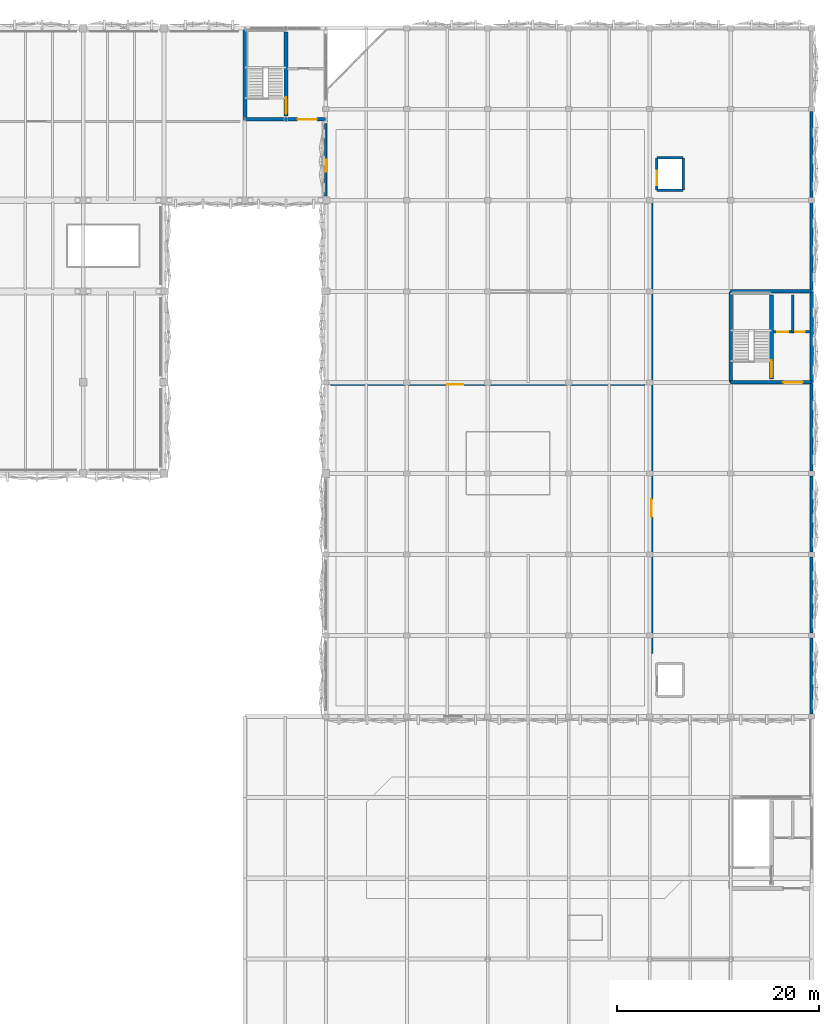
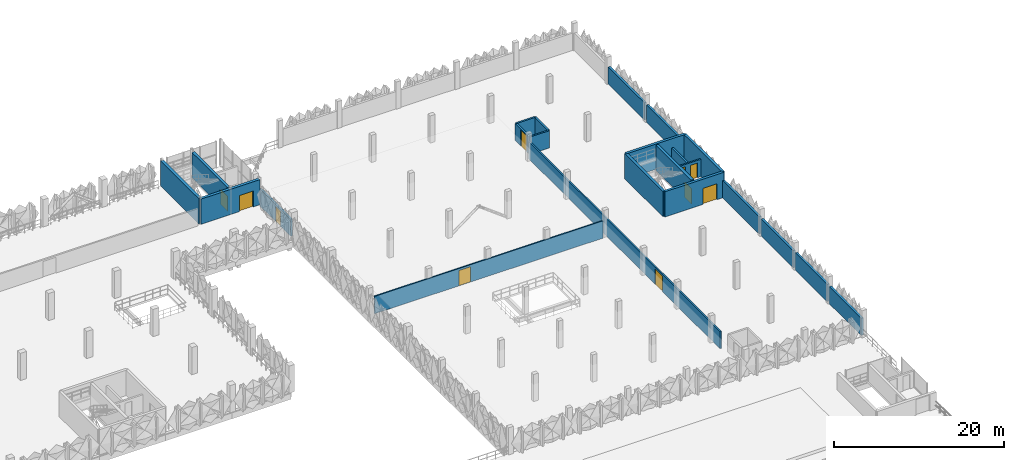
# One storey, part 43 of 76: 23 walls, 10 doors, 10 openings.
"""IFC4 building model written with IfcOpenShell, lengths in metres."""

from ifc_helpers import new_model, si_unit, derived_unit, direction, frame, frame_2d, origin, place, context, subcontext, project, spatial, rectangle, extrude, material, layer, layer_set, type_object, element, fill, save


model = new_model("IFC4")

# Units and contexts
model_context = context("Model", 3, precision=1e-05, world=origin(), true_north=direction((0.0, 1.0)))
body_context = subcontext(model_context, "Body", "Model", "MODEL_VIEW")
ifc_project = project(units=[si_unit("LENGTHUNIT", "METRE"), si_unit("AREAUNIT", "SQUARE_METRE"), si_unit("VOLUMEUNIT", "CUBIC_METRE"), si_unit("PLANEANGLEUNIT", "RADIAN"), si_unit("MASSUNIT", "GRAM", prefix="KILO"), si_unit("THERMODYNAMICTEMPERATUREUNIT", "KELVIN"), derived_unit("THERMALTRANSMITTANCEUNIT", [(si_unit("POWERUNIT", "WATT"), 1), (si_unit("AREAUNIT", "SQUARE_METRE"), -1), (si_unit("THERMODYNAMICTEMPERATUREUNIT", "KELVIN"), -1)])], contexts=[model_context])

# Site, building, storey
site_placement = place(None, origin())
site = spatial("IfcSite", under=ifc_project, at=site_placement, CompositionType="ELEMENT")
building_placement = place(site_placement, origin())
building = spatial("IfcBuilding", under=site, at=building_placement, Name="Haiyu Intermodal Mobility Hub", CompositionType="ELEMENT")
storey_placement = place(building_placement, frame((0.0, 0.0, 17.300048828125)))
storey = spatial("IfcBuildingStorey", under=building, at=storey_placement, Name="L04", CompositionType="ELEMENT", Elevation=17.300048828125)

# Walls
ifc_material_1 = material(Name="Precast concrete C40", Category="concrete")
ifc_layer_1 = layer(ifc_material_1, 0.300048828125)
ifc_layer_set_1 = layer_set([ifc_layer_1], Name="Precast concrete C40")
wall_type_1 = type_object("IfcWallType", Name="WAL-WE01", PredefinedType="STANDARD", material=ifc_layer_set_1)
for number, where, z_axis, x_axis, name in (
    (1, (210.0, 80.235107421875, 0.0), (0.0, 0.0, 1.0), (0.0, 1.0, 0.0), "WAL-V6E-232"),
    (2, (210.0, 88.235107421875, 0.0), (0.0, 0.0, 1.0), (0.0, 1.0, 0.0), "WAL-V6E-234"),
    (3, (210.0, 96.235107421875, 0.0), (0.0, 0.0, 1.0), (0.0, 1.0, 0.0), "WAL-V6E-236"),
):
    element("IfcWall", number, at=place(storey_placement, frame(where, z_axis=z_axis, x_axis=x_axis)), inside=storey, type_object=wall_type_1, Name=name, PredefinedType="STANDARD", context=body_context, shape_type="SweptSolid", body=[
        extrude(rectangle(XDim=7.52978515625, YDim=0.300048828125, at=frame_2d((3.764892578125, 0.0))), origin(), (0.0, 0.0, 1.0), 2.47998046875),
    ])
for number, where, z_axis, x_axis, name in (
    (4, (210.0, 104.235107421875, 0.0), (0.0, 0.0, 1.0), (0.0, 1.0, 0.0), "WAL-V6E-238"),
    (5, (210.0, 122.1298828125, 0.0), (0.0, 0.0, 1.0), (0.0, 1.0, 0.0), "WAL-V6E-240"),
):
    element("IfcWall", number, at=place(storey_placement, frame(where, z_axis=z_axis, x_axis=x_axis)), inside=storey, type_object=wall_type_1, Name=name, PredefinedType="STANDARD", context=body_context, shape_type="SweptSolid", body=[
        extrude(rectangle(XDim=8.635009765625, YDim=0.300048828125, at=frame_2d((4.3173828125, 0.0))), origin(), (0.0, 0.0, 1.0), 2.47998046875),
    ])
wall_1_placement = place(storey_placement, frame((210.0, 131.235107421875, 0.0), z_axis=(0.0, 0.0, 1.0), x_axis=(0.0, 1.0, 0.0)))
element("IfcWall", 6, at=wall_1_placement, inside=storey, type_object=wall_type_1, Name="WAL-V6E-242", PredefinedType="STANDARD", context=body_context, shape_type="SweptSolid", body=[
    extrude(rectangle(XDim=8.52978515625, YDim=0.300048828125, at=frame_2d((4.264892578125, 0.0))), origin(), (0.0, 0.0, 1.0), 2.47998046875),
])
ifc_material_2 = material(Name="Autoclaved aerated concrete block A5.0", Category="concrete")
ifc_layer_2 = layer(ifc_material_2, 0.22998046875)
ifc_layer_set_2 = layer_set([ifc_layer_2], Name="Autoclaved aerated concrete block A5.0")
wall_type_2 = type_object("IfcWallType", Name="WAL-WI01", PredefinedType="PARTITIONING", material=ifc_layer_set_2)
wall_2_placement = place(storey_placement, frame((208.1298828125, 118.0, 0.0), z_axis=(0.0, 0.0, 1.0), x_axis=(0.0, 1.0, 0.0)))
element("IfcWall", 7, at=wall_2_placement, inside=storey, type_object=wall_type_2, Name="WAL-CORE-C10-LSH-L04", PredefinedType="PARTITIONING", context=body_context, shape_type="SweptSolid", body=[
    extrude(rectangle(XDim=3.64990234375, YDim=0.22998046875, at=frame_2d((1.824951171875, 0.0))), origin(), (0.0, 0.0, 1.0), 2.47998046875),
])

# Wall, openings, doors
wall_3_placement = place(storey_placement, frame((206.2099609375, 118.0, 0.0), z_axis=(0.0, 0.0, 1.0), x_axis=(1.0, 0.0, 0.0)))
wall_3 = element("IfcWall", 8, at=wall_3_placement, inside=storey, type_object=wall_type_2, Name="WAL-CORE-C10-LFT-L04", PredefinedType="PARTITIONING", context=body_context, shape_type="SweptSolid", body=[
    extrude(rectangle(XDim=3.630126953125, YDim=0.22998046875, at=frame_2d((1.81494140625, 0.0))), origin(), (0.0, 0.0, 1.0), 2.47998046875),
])
opening_1_placement = place(wall_3_placement, frame((0.3798828125, 0.0, 0.0)))
opening_1 = element("IfcOpeningElement", 9, at=opening_1_placement, cuts=wall_3, Name="Opening LD01", PredefinedType="OPENING", context=body_context, shape_type="SweptSolid", body=[
    extrude(rectangle(XDim=1.10009765625, YDim=2.14990234375, at=frame_2d((0.550048828125, 1.074951171875))), frame((0.0, 0.125, 0.0), z_axis=(0.0, -1.0, 0.0), x_axis=(1.0, 0.0, 0.0)), (0.0, 0.0, 1.0), 0.25),
])
opening_2_placement = place(wall_3_placement, frame((2.179931640625, 0.0, 0.0)))
opening_2 = element("IfcOpeningElement", 10, at=opening_2_placement, cuts=wall_3, Name="Opening DI07", PredefinedType="OPENING", context=body_context, shape_type="SweptSolid", body=[
    extrude(rectangle(XDim=0.949951171875, YDim=2.10009765625, at=frame_2d((0.47509765625, 1.050048828125))), frame((0.0, 0.125, 0.0), z_axis=(0.0, -1.0, 0.0), x_axis=(1.0, 0.0, 0.0)), (0.0, 0.0, 1.0), 0.25),
])
ifc_material_3 = material(Name="Steel Q355C", Category="steel")
door_type_1 = type_object("IfcDoorType", Name="DR-DI07", OperationType="NOTDEFINED", PredefinedType="DOOR", material=ifc_material_3)
door_1_placement = place(opening_2_placement, origin())
door_1 = element("IfcDoor", 11, at=door_1_placement, inside=storey, type_object=door_type_1, Name="Core C10 Accessible WC Door L04", OperationType="SINGLE_SWING_RIGHT", OverallHeight=2.10009765625, OverallWidth=0.949951171875, PredefinedType="DOOR", context=body_context, shape_type="SweptSolid", body=[
    extrude(rectangle(XDim=0.949951171875, YDim=2.10009765625, at=frame_2d((0.47509765625, 1.050048828125))), frame((0.0, 0.02490234375, 0.0), z_axis=(0.0, -1.0, 0.0), x_axis=(1.0, 0.0, 0.0)), (0.0, 0.0, 1.0), 0.050048828125),
])
fill(opening_2, door_1)
door_type_2 = type_object("IfcDoorType", Name="DR-LD01", OperationType="DOUBLE_DOOR_SLIDING", PredefinedType="DOOR", material=ifc_material_3)
door_2_placement = place(opening_1_placement, origin())
door_2 = element("IfcDoor", 12, at=door_2_placement, inside=storey, type_object=door_type_2, Name="Lift FL-04 Sliding Landing Door L04", OperationType="SLIDING_TO_LEFT", OverallHeight=2.14990234375, OverallWidth=1.10009765625, PredefinedType="DOOR", context=body_context, shape_type="SweptSolid", body=[
    extrude(rectangle(XDim=1.10009765625, YDim=2.14990234375, at=frame_2d((0.550048828125, 1.074951171875))), frame((0.0, 0.02490234375, 0.0), z_axis=(0.0, -1.0, 0.0), x_axis=(1.0, 0.0, 0.0)), (0.0, 0.0, 1.0), 0.050048828125),
])
fill(opening_1, door_2)

# Wall, opening, door
wall_4_placement = place(storey_placement, frame((194.699951171875, 132.0, 0.0), z_axis=(0.0, 0.0, 1.0), x_axis=(0.0, 1.0, 0.0)))
wall_4 = element("IfcWall", 13, at=wall_4_placement, inside=storey, type_object=wall_type_2, Name="WAL-GL-02-W-L04", PredefinedType="PARTITIONING", context=body_context, shape_type="SweptSolid", body=[
    extrude(rectangle(XDim=3.199951171875, YDim=0.22998046875, at=frame_2d((1.60009765625, 0.0))), origin(), (0.0, 0.0, 1.0), 2.47998046875),
])
opening_3_placement = place(wall_4_placement, frame((0.5, 0.0, 0.0)))
opening_3 = element("IfcOpeningElement", 14, at=opening_3_placement, cuts=wall_4, Name="Opening LD03", PredefinedType="OPENING", context=body_context, shape_type="SweptSolid", body=[
    extrude(rectangle(XDim=1.39990234375, YDim=2.300048828125, at=frame_2d((0.699951171875, 1.14990234375))), frame((0.0, 0.125, 0.0), z_axis=(0.0, -1.0, 0.0), x_axis=(1.0, 0.0, 0.0)), (0.0, 0.0, 1.0), 0.25),
])
door_type_3 = type_object("IfcDoorType", Name="DR-LD03", OperationType="DOUBLE_DOOR_SLIDING", PredefinedType="DOOR", material=ifc_material_3)
door_3_placement = place(opening_3_placement, origin())
door_3 = element("IfcDoor", 15, at=door_3_placement, inside=storey, type_object=door_type_3, Name="Goods Lift GL-02 Sliding Door L04", OperationType="SLIDING_TO_RIGHT", OverallHeight=2.300048828125, OverallWidth=1.39990234375, PredefinedType="DOOR", context=body_context, shape_type="SweptSolid", body=[
    extrude(rectangle(XDim=1.39990234375, YDim=2.300048828125, at=frame_2d((0.699951171875, 1.14990234375))), frame((0.0, 0.02490234375, 0.0), z_axis=(0.0, -1.0, 0.0), x_axis=(1.0, 0.0, 0.0)), (0.0, 0.0, 1.0), 0.050048828125),
])
fill(opening_3, door_3)

# Walls
wall_5_placement = place(storey_placement, frame((194.699951171875, 135.199951171875, 0.0), z_axis=(0.0, 0.0, 1.0), x_axis=(1.0, 0.0, 0.0)))
element("IfcWall", 16, at=wall_5_placement, inside=storey, type_object=wall_type_2, Name="WAL-GL-02-N-L04", PredefinedType="PARTITIONING", context=body_context, shape_type="SweptSolid", body=[
    extrude(rectangle(XDim=2.60009765625, YDim=0.22998046875, at=frame_2d((1.300048828125, 0.0))), origin(), (0.0, 0.0, 1.0), 2.47998046875),
])
wall_6_placement = place(storey_placement, frame((197.300048828125, 135.199951171875, 0.0), z_axis=(0.0, 0.0, 1.0), x_axis=(0.0, -1.0, 0.0)))
element("IfcWall", 17, at=wall_6_placement, inside=storey, type_object=wall_type_2, Name="WAL-GL-02-E-L04", PredefinedType="PARTITIONING", context=body_context, shape_type="SweptSolid", body=[
    extrude(rectangle(XDim=3.199951171875, YDim=0.22998046875, at=frame_2d((1.60009765625, 0.0))), origin(), (0.0, 0.0, 1.0), 2.47998046875),
])
wall_7_placement = place(storey_placement, frame((197.300048828125, 132.0, 0.0), z_axis=(0.0, 0.0, 1.0), x_axis=(-1.0, 0.0, 0.0)))
element("IfcWall", 18, at=wall_7_placement, inside=storey, type_object=wall_type_2, Name="WAL-GL-02-S-L04", PredefinedType="PARTITIONING", context=body_context, shape_type="SweptSolid", body=[
    extrude(rectangle(XDim=2.60009765625, YDim=0.22998046875, at=frame_2d((1.300048828125, 0.0))), origin(), (0.0, 0.0, 1.0), 2.47998046875),
])

# Wall, opening, door
wall_8_placement = place(storey_placement, frame((162.0, 131.39990234375, 0.0), z_axis=(0.0, 0.0, 1.0), x_axis=(0.0, 1.0, 0.0)))
wall_8 = element("IfcWall", 19, at=wall_8_placement, inside=storey, type_object=wall_type_2, Name="WAL-INT-0017", PredefinedType="PARTITIONING", context=body_context, shape_type="SweptSolid", body=[
    extrude(rectangle(XDim=7.2001953125, YDim=0.22998046875, at=frame_2d((3.60009765625, 0.0))), origin(), (0.0, 0.0, 1.0), 2.47998046875),
])
opening_4_placement = place(wall_8_placement, frame((2.39990234375, 0.0, 0.0)))
opening_4 = element("IfcOpeningElement", 20, at=opening_4_placement, cuts=wall_8, Name="Opening DI03", PredefinedType="OPENING", context=body_context, shape_type="SweptSolid", body=[
    extrude(rectangle(XDim=1.199951171875, YDim=2.199951171875, at=frame_2d((0.60009765625, 1.10009765625))), frame((0.0, 0.125, 0.0), z_axis=(0.0, -1.0, 0.0), x_axis=(1.0, 0.0, 0.0)), (0.0, 0.0, 1.0), 0.25),
])
door_type_4 = type_object("IfcDoorType", Name="DR-DI03", OperationType="NOTDEFINED", PredefinedType="DOOR", material=ifc_material_3)
door_4_placement = place(opening_4_placement, origin())
door_4 = element("IfcDoor", 21, at=door_4_placement, inside=storey, type_object=door_type_4, Name="Parking-Service Fire Door L04-A", OperationType="DOUBLE_SWING_LEFT", OverallHeight=2.199951171875, OverallWidth=1.199951171875, PredefinedType="DOOR", context=body_context, shape_type="SweptSolid", body=[
    extrude(rectangle(XDim=1.199951171875, YDim=2.199951171875, at=frame_2d((0.60009765625, 1.10009765625))), frame((0.0, 0.02490234375, 0.0), z_axis=(0.0, -1.0, 0.0), x_axis=(1.0, 0.0, 0.0)), (0.0, 0.0, 1.0), 0.050048828125),
])
fill(opening_4, door_4)

ifc_layer_3 = layer(ifc_material_2, 0.199951171875)
ifc_layer_set_3 = layer_set([ifc_layer_3], Name="Autoclaved aerated concrete block A5.0")
wall_type_3 = type_object("IfcWallType", Name="WAL-WI02", PredefinedType="PARTITIONING", material=ifc_layer_set_3)
wall_9_placement = place(storey_placement, frame((194.199951171875, 86.199951171875, 0.0), z_axis=(0.0, 0.0, 1.0), x_axis=(0.0, 1.0, 0.0)))
wall_9 = element("IfcWall", 22, at=wall_9_placement, inside=storey, type_object=wall_type_3, Name="WAL-INT-0041", PredefinedType="PARTITIONING", context=body_context, shape_type="SweptSolid", body=[
    extrude(rectangle(XDim=45.0, YDim=0.199951171875, at=frame_2d((22.5, 0.0))), origin(), (0.0, 0.0, 1.0), 2.47998046875),
])
opening_5_placement = place(wall_9_placement, frame((13.5, 0.0, 0.0)))
opening_5 = element("IfcOpeningElement", 23, at=opening_5_placement, cuts=wall_9, Name="Opening DI09", PredefinedType="OPENING", context=body_context, shape_type="SweptSolid", body=[
    extrude(rectangle(XDim=1.75, YDim=2.25, at=frame_2d((0.875, 1.125))), frame((0.0, 0.10986328125, 0.0), z_axis=(0.0, -1.0, 0.0), x_axis=(1.0, 0.0, 0.0)), (0.0, 0.0, 1.0), 0.219970703125),
])
ifc_material_4 = material(Name="Anodised aluminium 6063-T6", Category="aluminium")
door_type_5 = type_object("IfcDoorType", Name="DR-DI09", OperationType="DOUBLE_DOOR_SINGLE_SWING", PredefinedType="DOOR", material=ifc_material_4)
door_5_placement = place(opening_5_placement, origin())
door_5 = element("IfcDoor", 24, at=door_5_placement, inside=storey, type_object=door_type_5, Name="AHU Plant Room Door", OperationType="DOUBLE_SWING_LEFT", OverallHeight=2.25, OverallWidth=1.75, PredefinedType="DOOR", context=body_context, shape_type="SweptSolid", body=[
    extrude(rectangle(XDim=1.75, YDim=2.25, at=frame_2d((0.875, 1.125))), frame((0.0, 0.02490234375, 0.0), z_axis=(0.0, -1.0, 0.0), x_axis=(1.0, 0.0, 0.0)), (0.0, 0.0, 1.0), 0.050048828125),
])
fill(opening_5, door_5)

ifc_layer_4 = layer(ifc_material_2, 0.179931640625)
ifc_layer_set_4 = layer_set([ifc_layer_4], Name="Autoclaved aerated concrete block A5.0")
wall_type_4 = type_object("IfcWallType", Name="WAL-WI03", PredefinedType="PARTITIONING", material=ifc_layer_set_4)
wall_10_placement = place(storey_placement, frame((162.5, 112.800048828125, 0.0), z_axis=(0.0, 0.0, 1.0), x_axis=(1.0, 0.0, 0.0)))
wall_10 = element("IfcWall", 25, at=wall_10_placement, inside=storey, type_object=wall_type_4, Name="WAL-INT-0040", PredefinedType="PARTITIONING", context=body_context, shape_type="SweptSolid", body=[
    extrude(rectangle(XDim=31.0, YDim=0.179931640625, at=frame_2d((15.5, 0.0))), origin(), (0.0, 0.0, 1.0), 2.47998046875),
])
opening_6_placement = place(wall_10_placement, frame((11.5, 0.0, 0.0)))
opening_6 = element("IfcOpeningElement", 26, at=opening_6_placement, cuts=wall_10, Name="Opening DI04", PredefinedType="OPENING", context=body_context, shape_type="SweptSolid", body=[
    extrude(rectangle(XDim=1.550048828125, YDim=2.199951171875, at=frame_2d((0.77490234375, 1.10009765625))), frame((0.0, 0.10009765625, 0.0), z_axis=(0.0, -1.0, 0.0), x_axis=(1.0, 0.0, 0.0)), (0.0, 0.0, 1.0), 0.199951171875),
])
door_type_6 = type_object("IfcDoorType", Name="DR-DI04", OperationType="DOUBLE_DOOR_SINGLE_SWING", PredefinedType="DOOR", material=ifc_material_3)
door_6_placement = place(opening_6_placement, origin())
door_6 = element("IfcDoor", 27, at=door_6_placement, inside=storey, type_object=door_type_6, Name="Transit Consultation Door", OperationType="DOUBLE_SWING_RIGHT", OverallHeight=2.199951171875, OverallWidth=1.550048828125, PredefinedType="DOOR", context=body_context, shape_type="SweptSolid", body=[
    extrude(rectangle(XDim=1.550048828125, YDim=2.199951171875, at=frame_2d((0.77490234375, 1.10009765625))), frame((0.0, 0.02490234375, 0.0), z_axis=(0.0, -1.0, 0.0), x_axis=(1.0, 0.0, 0.0)), (0.0, 0.0, 1.0), 0.050048828125),
])
fill(opening_6, door_6)

ifc_material_5 = material(Name="Concrete C40", Category="concrete")
ifc_layer_5 = layer(ifc_material_5, 0.35009765625)
ifc_layer_set_5 = layer_set([ifc_layer_5], Name="Concrete C40")
wall_type_5 = type_object("IfcWallType", Name="WAL-WS02", PredefinedType="SHEAR", material=ifc_layer_set_5)
wall_11_placement = place(storey_placement, frame((202.0, 113.0, 0.0), z_axis=(0.0, 0.0, 1.0), x_axis=(1.0, 0.0, 0.0)))
wall_11 = element("IfcWall", 28, at=wall_11_placement, inside=storey, type_object=wall_type_5, Name="WAL-CORE-C10-S-L04", PredefinedType="SHEAR", context=body_context, shape_type="SweptSolid", body=[
    extrude(rectangle(XDim=8.0, YDim=0.35009765625, at=frame_2d((4.0, 0.0))), origin(), (0.0, 0.0, 1.0), 3.619873046875),
])
opening_7_placement = place(wall_11_placement, frame((5.199951171875, 0.0, 0.0)))
opening_7 = element("IfcOpeningElement", 29, at=opening_7_placement, cuts=wall_11, Name="Opening DI01", PredefinedType="OPENING", context=body_context, shape_type="SweptSolid", body=[
    extrude(rectangle(XDim=1.89990234375, YDim=2.300048828125, at=frame_2d((0.949951171875, 1.14990234375))), frame((0.0, 0.18505859375, 0.0), z_axis=(0.0, -1.0, 0.0), x_axis=(1.0, 0.0, 0.0)), (0.0, 0.0, 1.0), 0.3701171875),
])
door_type_7 = type_object("IfcDoorType", Name="DR-DI01", OperationType="DOUBLE_DOOR_SINGLE_SWING", PredefinedType="DOOR", material=ifc_material_3)
door_7_placement = place(opening_7_placement, origin())
door_7 = element("IfcDoor", 30, at=door_7_placement, inside=storey, type_object=door_type_7, Name="Core C10 Lobby Fire Door L04", OperationType="SINGLE_SWING_RIGHT", OverallHeight=2.300048828125, OverallWidth=1.89990234375, PredefinedType="DOOR", context=body_context, shape_type="SweptSolid", body=[
    extrude(rectangle(XDim=1.89990234375, YDim=2.300048828125, at=frame_2d((0.949951171875, 1.14990234375))), frame((0.0, 0.02490234375, 0.0), z_axis=(0.0, -1.0, 0.0), x_axis=(1.0, 0.0, 0.0)), (0.0, 0.0, 1.0), 0.050048828125),
])
fill(opening_7, door_7)

# Walls
wall_12_placement = place(storey_placement, frame((210.0, 113.0, 0.0), z_axis=(0.0, 0.0, 1.0), x_axis=(0.0, 1.0, 0.0)))
element("IfcWall", 31, at=wall_12_placement, inside=storey, type_object=wall_type_5, Name="WAL-CORE-C10-E-L04", PredefinedType="SHEAR", context=body_context, shape_type="SweptSolid", body=[
    extrude(rectangle(XDim=9.0, YDim=0.35009765625, at=frame_2d((4.5, 0.0))), origin(), (0.0, 0.0, 1.0), 3.619873046875),
])
wall_13_placement = place(storey_placement, frame((210.0, 122.0, 0.0), z_axis=(0.0, 0.0, 1.0), x_axis=(-1.0, 0.0, 0.0)))
element("IfcWall", 32, at=wall_13_placement, inside=storey, type_object=wall_type_5, Name="WAL-CORE-C10-N-L04", PredefinedType="SHEAR", context=body_context, shape_type="SweptSolid", body=[
    extrude(rectangle(XDim=8.0, YDim=0.35009765625, at=frame_2d((4.0, 0.0))), origin(), (0.0, 0.0, 1.0), 3.619873046875),
])
wall_14_placement = place(storey_placement, frame((202.0, 122.0, 0.0), z_axis=(0.0, 0.0, 1.0), x_axis=(0.0, -1.0, 0.0)))
element("IfcWall", 33, at=wall_14_placement, inside=storey, type_object=wall_type_5, Name="WAL-CORE-C10-W-L04", PredefinedType="SHEAR", context=body_context, shape_type="SweptSolid", body=[
    extrude(rectangle(XDim=9.0, YDim=0.35009765625, at=frame_2d((4.5, 0.0))), origin(), (0.0, 0.0, 1.0), 3.619873046875),
])

# Wall, opening, door
ifc_layer_6 = layer(ifc_material_5, 0.3798828125)
ifc_layer_set_6 = layer_set([ifc_layer_6], Name="Concrete C40")
wall_type_6 = type_object("IfcWallType", Name="WAL-WS03", PredefinedType="SHEAR", material=ifc_layer_set_6)
wall_15_placement = place(storey_placement, frame((154.0, 139.0, 0.0), z_axis=(0.0, 0.0, 1.0), x_axis=(1.0, 0.0, 0.0)))
wall_15 = element("IfcWall", 34, at=wall_15_placement, inside=storey, type_object=wall_type_6, Name="WAL-CORE-C4-S-L04", PredefinedType="SHEAR", context=body_context, shape_type="SweptSolid", body=[
    extrude(rectangle(XDim=8.0, YDim=0.3798828125, at=frame_2d((4.0, 0.0))), origin(), (0.0, 0.0, 1.0), 3.619873046875),
])
opening_8_placement = place(wall_15_placement, frame((5.199951171875, 0.0, 0.0)))
opening_8 = element("IfcOpeningElement", 35, at=opening_8_placement, cuts=wall_15, Name="Opening DI01", PredefinedType="OPENING", context=body_context, shape_type="SweptSolid", body=[
    extrude(rectangle(XDim=1.89990234375, YDim=2.300048828125, at=frame_2d((0.949951171875, 1.14990234375))), frame((0.0, 0.199951171875, 0.0), z_axis=(0.0, -1.0, 0.0), x_axis=(1.0, 0.0, 0.0)), (0.0, 0.0, 1.0), 0.39990234375),
])
door_8_placement = place(opening_8_placement, origin())
door_8 = element("IfcDoor", 36, at=door_8_placement, inside=storey, type_object=door_type_7, Name="Core C4 Lobby Fire Door L04", OperationType="SINGLE_SWING_RIGHT", OverallHeight=2.300048828125, OverallWidth=1.89990234375, PredefinedType="DOOR", context=body_context, shape_type="SweptSolid", body=[
    extrude(rectangle(XDim=1.89990234375, YDim=2.300048828125, at=frame_2d((0.949951171875, 1.14990234375))), frame((0.0, 0.02490234375, 0.0), z_axis=(0.0, -1.0, 0.0), x_axis=(1.0, 0.0, 0.0)), (0.0, 0.0, 1.0), 0.050048828125),
])
fill(opening_8, door_8)

# Wall
wall_16_placement = place(storey_placement, frame((154.0, 148.0, 0.0), z_axis=(0.0, 0.0, 1.0), x_axis=(0.0, -1.0, 0.0)))
element("IfcWall", 37, at=wall_16_placement, inside=storey, type_object=wall_type_6, Name="WAL-CORE-C4-W-L04", PredefinedType="SHEAR", context=body_context, shape_type="SweptSolid", body=[
    extrude(rectangle(XDim=9.0, YDim=0.3798828125, at=frame_2d((4.5, 0.0))), origin(), (0.0, 0.0, 1.0), 3.619873046875),
])

# Wall, opening, door
wall_17_placement = place(storey_placement, frame((158.050048828125, 139.35009765625, 0.0), z_axis=(0.0, 0.0, 1.0), x_axis=(0.0, 1.0, 0.0)))
wall_17 = element("IfcWall", 38, at=wall_17_placement, inside=storey, type_object=wall_type_6, Name="WAL-CORE-C4-MID-L04", PredefinedType="SHEAR", context=body_context, shape_type="SweptSolid", body=[
    extrude(rectangle(XDim=8.2998046875, YDim=0.3798828125, at=frame_2d((4.14990234375, 0.0))), origin(), (0.0, 0.0, 1.0), 3.619873046875),
])
opening_9_placement = place(wall_17_placement, frame((0.179931640625, 0.0, 0.0)))
opening_9 = element("IfcOpeningElement", 39, at=opening_9_placement, cuts=wall_17, Name="Opening DI02", PredefinedType="OPENING", context=body_context, shape_type="SweptSolid", body=[
    extrude(rectangle(XDim=1.64990234375, YDim=2.199951171875, at=frame_2d((0.824951171875, 1.10009765625))), frame((0.0, 0.199951171875, 0.0), z_axis=(0.0, -1.0, 0.0), x_axis=(1.0, 0.0, 0.0)), (0.0, 0.0, 1.0), 0.39990234375),
])
door_type_8 = type_object("IfcDoorType", Name="DR-DI02", OperationType="DOUBLE_DOOR_SINGLE_SWING", PredefinedType="DOOR", material=ifc_material_3)
door_9_placement = place(opening_9_placement, origin())
door_9 = element("IfcDoor", 40, at=door_9_placement, inside=storey, type_object=door_type_8, Name="Stair ST02 Fire Door L04", OperationType="SINGLE_SWING_RIGHT", OverallHeight=2.199951171875, OverallWidth=1.64990234375, PredefinedType="DOOR", context=body_context, shape_type="SweptSolid", body=[
    extrude(rectangle(XDim=1.64990234375, YDim=2.199951171875, at=frame_2d((0.824951171875, 1.10009765625))), frame((0.0, 0.02490234375, 0.0), z_axis=(0.0, -1.0, 0.0), x_axis=(1.0, 0.0, 0.0)), (0.0, 0.0, 1.0), 0.050048828125),
])
fill(opening_9, door_9)

wall_18_placement = place(storey_placement, frame((206.050048828125, 113.35009765625, 0.0), z_axis=(0.0, 0.0, 1.0), x_axis=(0.0, 1.0, 0.0)))
wall_18 = element("IfcWall", 41, at=wall_18_placement, inside=storey, type_object=wall_type_6, Name="WAL-CORE-C10-MID-L04", PredefinedType="SHEAR", context=body_context, shape_type="SweptSolid", body=[
    extrude(rectangle(XDim=8.2998046875, YDim=0.3798828125, at=frame_2d((4.14990234375, 0.0))), origin(), (0.0, 0.0, 1.0), 3.619873046875),
])
opening_10_placement = place(wall_18_placement, frame((0.179931640625, 0.0, 0.0)))
opening_10 = element("IfcOpeningElement", 42, at=opening_10_placement, cuts=wall_18, Name="Opening DI02", PredefinedType="OPENING", context=body_context, shape_type="SweptSolid", body=[
    extrude(rectangle(XDim=1.64990234375, YDim=2.199951171875, at=frame_2d((0.824951171875, 1.10009765625))), frame((0.0, 0.199951171875, 0.0), z_axis=(0.0, -1.0, 0.0), x_axis=(1.0, 0.0, 0.0)), (0.0, 0.0, 1.0), 0.39990234375),
])
door_10_placement = place(opening_10_placement, origin())
door_10 = element("IfcDoor", 43, at=door_10_placement, inside=storey, type_object=door_type_8, Name="Stair ST03 Fire Door L04", OperationType="SINGLE_SWING_RIGHT", OverallHeight=2.199951171875, OverallWidth=1.64990234375, PredefinedType="DOOR", context=body_context, shape_type="SweptSolid", body=[
    extrude(rectangle(XDim=1.64990234375, YDim=2.199951171875, at=frame_2d((0.824951171875, 1.10009765625))), frame((0.0, 0.02490234375, 0.0), z_axis=(0.0, -1.0, 0.0), x_axis=(1.0, 0.0, 0.0)), (0.0, 0.0, 1.0), 0.050048828125),
])
fill(opening_10, door_10)

save(model, "model.ifc")
